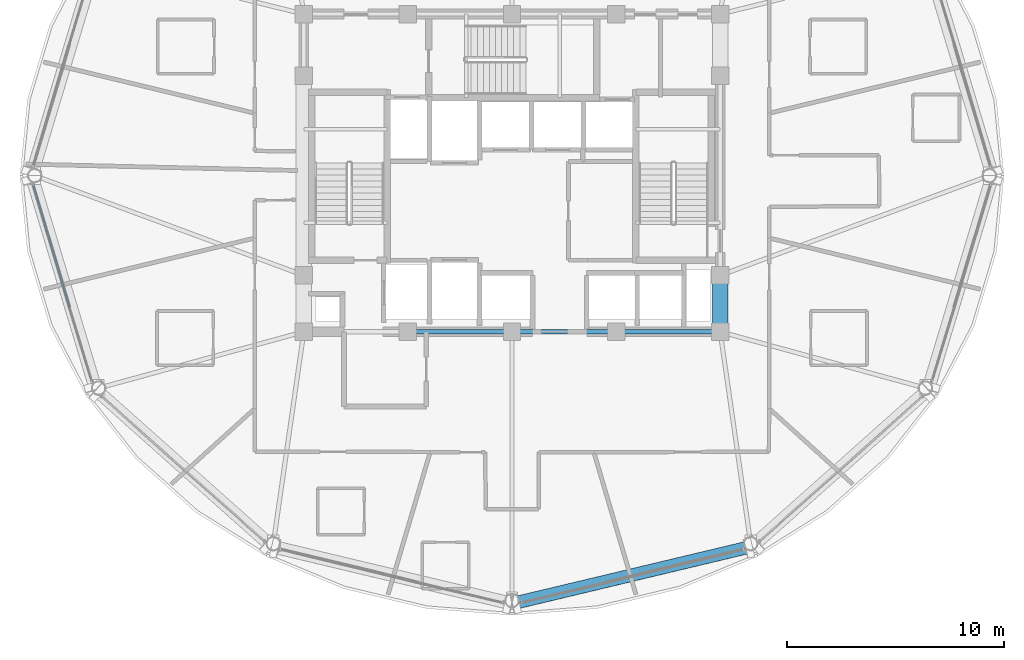
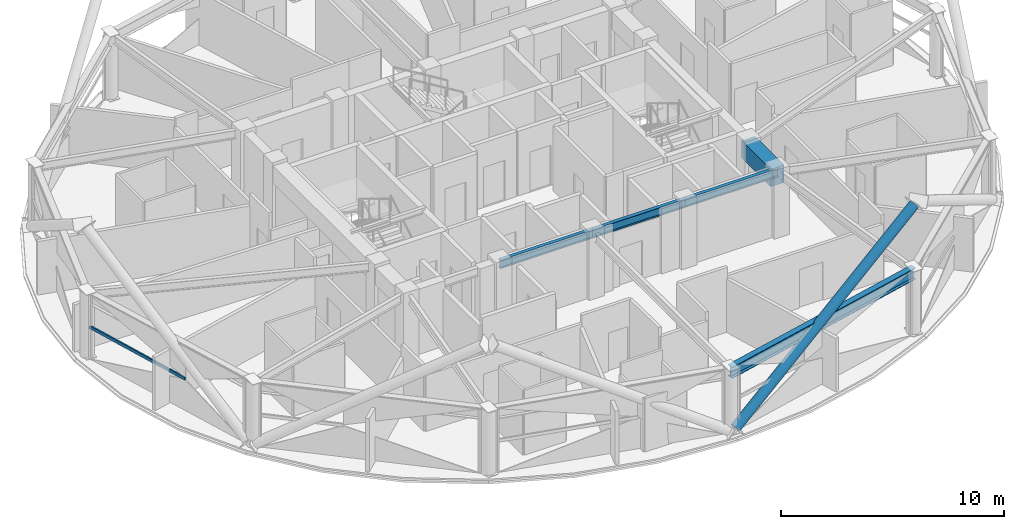
# One storey, part 6 of 29: 5 beams, 2 members, 1 element without a shape of its own.
"""IFC4 building model written with IfcOpenShell, lengths in metres."""

from ifc_helpers import new_model, si_unit, direction, frame, origin, origin_2d, place, context, subcontext, project, spatial, rectangle, hollow_rectangle, hollow_circle, i_section, extrude, material, layer, layer_set, material_profile, profile_set, type_object, element, aggregate, save


model = new_model("IFC4")

# Units and contexts
model_context = context("Model", 3, precision=1e-05, world=origin(), true_north=direction((0.0, 1.0)))
body_context = subcontext(model_context, "Body", "Model", "MODEL_VIEW")
ifc_project = project(units=[si_unit("LENGTHUNIT", "METRE"), si_unit("AREAUNIT", "SQUARE_METRE"), si_unit("VOLUMEUNIT", "CUBIC_METRE"), si_unit("PLANEANGLEUNIT", "RADIAN"), si_unit("MASSUNIT", "GRAM", prefix="KILO")], contexts=[model_context])

# Site, building, storey
site_placement = place(None, origin())
site = spatial("IfcSite", under=ifc_project, at=site_placement, CompositionType="ELEMENT")
building_placement = place(site_placement, origin())
building = spatial("IfcBuilding", under=site, at=building_placement, Name="Vantalir Tower", CompositionType="ELEMENT")
storey_placement = place(building_placement, frame((0.0, 0.0, 219.89990234375)))
storey = spatial("IfcBuildingStorey", under=building, at=storey_placement, Name="L55", CompositionType="ELEMENT", Elevation=219.89990234375)

# Beams
ifc_material_1 = material(Name="Concrete C60/75", Category="concrete")
ifc_material_profile_1 = material_profile(ifc_material_1, rectangle(XDim=0.699951171875, YDim=0.949951171875, at=origin_2d()), Name="Concrete C60/75")
ifc_profile_set_1 = profile_set([ifc_material_profile_1], Name="Concrete C60/75")
beam_type_1 = type_object("IfcBeamType", Name="BM-CB-700x950", PredefinedType="USERDEFINED", material=ifc_profile_set_1)
beam_1_placement = place(storey_placement, frame((41.10009765625, 17.800048828125, 3.09521484375), z_axis=(0.0, 1.0, 0.0), x_axis=(-1.0, 0.0, 0.0)))
element("IfcBeam", 1, at=beam_1_placement, inside=storey, type_object=beam_type_1, Name="L55 Core Coupling Girder 05", ObjectType="GIRDER", PredefinedType="USERDEFINED", context=body_context, shape_type="SweptSolid", body=[
    extrude(rectangle(XDim=0.699951171875, YDim=0.949951171875, at=origin_2d()), origin(), (0.0, 0.0, 1.0), 2.599853515625),
])
ifc_material_2 = material(Name="Steel S355", Category="steel")
ifc_material_profile_2 = material_profile(ifc_material_2, i_section(OverallWidth=0.19189453125, OverallDepth=0.462890625, WebThickness=0.010498046875, FlangeThickness=0.017578125, at=origin_2d()), Name="Steel S355")
ifc_profile_set_2 = profile_set([ifc_material_profile_2], Name="Steel S355")
beam_type_2 = type_object("IfcBeamType", Name="BM-RB-457x191", PredefinedType="BEAM", material=ifc_profile_set_2)
for number, where, z_axis, x_axis, name in (
    (2, (26.699951171875, 17.800048828125, 3.338134765625), (1.0, 0.0, 0.0), (0.0, 1.0, 0.0), "L55 Core Coupling Girder 02"),
    (3, (31.5, 17.800048828125, 3.338134765625), (1.0, 0.0, 0.0), (0.0, 1.0, 0.0), "L55 Core Coupling Girder 03"),
    (4, (36.300048828125, 17.800048828125, 3.338134765625), (1.0, 0.0, 0.0), (0.0, 1.0, 0.0), "L55 Core Coupling Girder 04"),
):
    element("IfcBeam", number, at=place(storey_placement, frame(where, z_axis=z_axis, x_axis=x_axis)), inside=storey, type_object=beam_type_2, Name=name, PredefinedType="BEAM", context=body_context, shape_type="SweptSolid", body=[
        extrude(i_section(OverallWidth=0.19189453125, OverallDepth=0.462890625, WebThickness=0.010498046875, FlangeThickness=0.017578125, at=origin_2d()), origin(), (0.0, 0.0, 1.0), 4.800048828125),
    ])
ifc_material_3 = material(Name="Steel S460", Category="steel")
ifc_material_profile_3 = material_profile(ifc_material_3, i_section(OverallWidth=0.306884765625, OverallDepth=0.6201171875, WebThickness=0.01416015625, FlangeThickness=0.023681640625, at=origin_2d()), Name="Steel S460")
ifc_profile_set_3 = profile_set([ifc_material_profile_3], Name="Steel S460")
beam_type_3 = type_object("IfcBeamType", Name="BM-RG-610x305", PredefinedType="USERDEFINED", material=ifc_profile_set_3)
beam_2_placement = place(storey_placement, frame((31.5, 5.404052734375, 3.260009765625), z_axis=(0.972716546071, 0.231996812479, 0.0), x_axis=(-0.231996812479, 0.972716546071, 0.0)))
element("IfcBeam", 5, at=beam_2_placement, inside=storey, type_object=beam_type_3, Name="L55 Circumferential Ring Girder 10", ObjectType="GIRDER", PredefinedType="USERDEFINED", context=body_context, shape_type="SweptSolid", body=[
    extrude(i_section(OverallWidth=0.306884765625, OverallDepth=0.6201171875, WebThickness=0.01416015625, FlangeThickness=0.023681640625, at=origin_2d()), origin(), (0.0, 0.0, 1.0), 11.314697265625),
])

# Curtain wall, member
ifc_material_4 = material(Name="Champagne-silver PVDF aluminium and double-silver Low-E glass", Category="aluminium")
ifc_layer = layer(ifc_material_4, 0.2099609375)
ifc_layer_set = layer_set([ifc_layer], Name="Champagne-silver PVDF aluminium and double-silver Low-E glass")
curtain_wall_type = type_object("IfcCurtainWallType", Name="CW-DIAMOND-Z3", PredefinedType="USERDEFINED", material=ifc_layer_set)
curtain_wall_placement = place(storey_placement, origin())
curtain_wall = element("IfcCurtainWall", 6, at=curtain_wall_placement, inside=storey, type_object=curtain_wall_type, Name="L55 Quilted Pyramid-Diamond Curtain Wall S07", ObjectType="UNITISED CURTAIN WALL", PredefinedType="USERDEFINED")
ifc_material_5 = material(Name="Champagne-silver PVDF aluminium 6063-T6", Category="aluminium")
ifc_material_profile_4 = material_profile(ifc_material_5, hollow_rectangle(XDim=0.074951171875, YDim=0.159912109375, WallThickness=0.00390625, at=origin_2d()), Name="Champagne-silver PVDF aluminium 6063-T6")
ifc_profile_set_4 = profile_set([ifc_material_profile_4], Name="Champagne-silver PVDF aluminium 6063-T6")
member_type_1 = type_object("IfcMemberType", Name="CWT-160x75", PredefinedType="USERDEFINED", material=ifc_profile_set_4)
member_1_placement = place(storey_placement, frame((9.4150390625, 24.60693359375, 1.78515625), z_axis=(0.28410947815, -0.958791846245, 0.0), x_axis=(0.958791846245, 0.28410947815, 0.0)))
member_1 = element("IfcMember", 7, at=member_1_placement, type_object=member_type_1, Name="CW-L55-S07 Pyramid Fold Ridge Transom", ObjectType="TRANSOM", PredefinedType="USERDEFINED", context=body_context, shape_type="SweptSolid", body=[
    extrude(hollow_rectangle(XDim=0.074951171875, YDim=0.159912109375, WallThickness=0.00390625, at=origin_2d()), origin(), (0.0, 0.0, 1.0), 5.895751953125),
])
aggregate(curtain_wall, [member_1])

# Member
ifc_material_profile_5 = material_profile(ifc_material_3, hollow_circle(Radius=0.25, WallThickness=0.031982421875, at=origin_2d()), Name="Steel S460")
ifc_profile_set_5 = profile_set([ifc_material_profile_5], Name="Steel S460")
member_type_2 = type_object("IfcMemberType", Name="MEM-DB-500x32", PredefinedType="BRACE", material=ifc_profile_set_5)
member_2_placement = place(storey_placement, frame((31.680908203125, 5.257080078125, 0.197021484375), z_axis=(0.823971380781, 0.196782144677, 0.531364235897), x_axis=(-0.232289043132, 0.972646801486, 0.0)))
element("IfcMember", 8, at=member_2_placement, inside=storey, type_object=member_type_2, Name="L55 Perimeter S460 Diagrid Brace R28L", PredefinedType="BRACE", context=body_context, shape_type="SweptSolid", body=[
    extrude(hollow_circle(Radius=0.25, WallThickness=0.031982421875, at=origin_2d()), origin(), (0.0, 0.0, 1.0), 13.034423828125),
])

save(model, "model.ifc")
